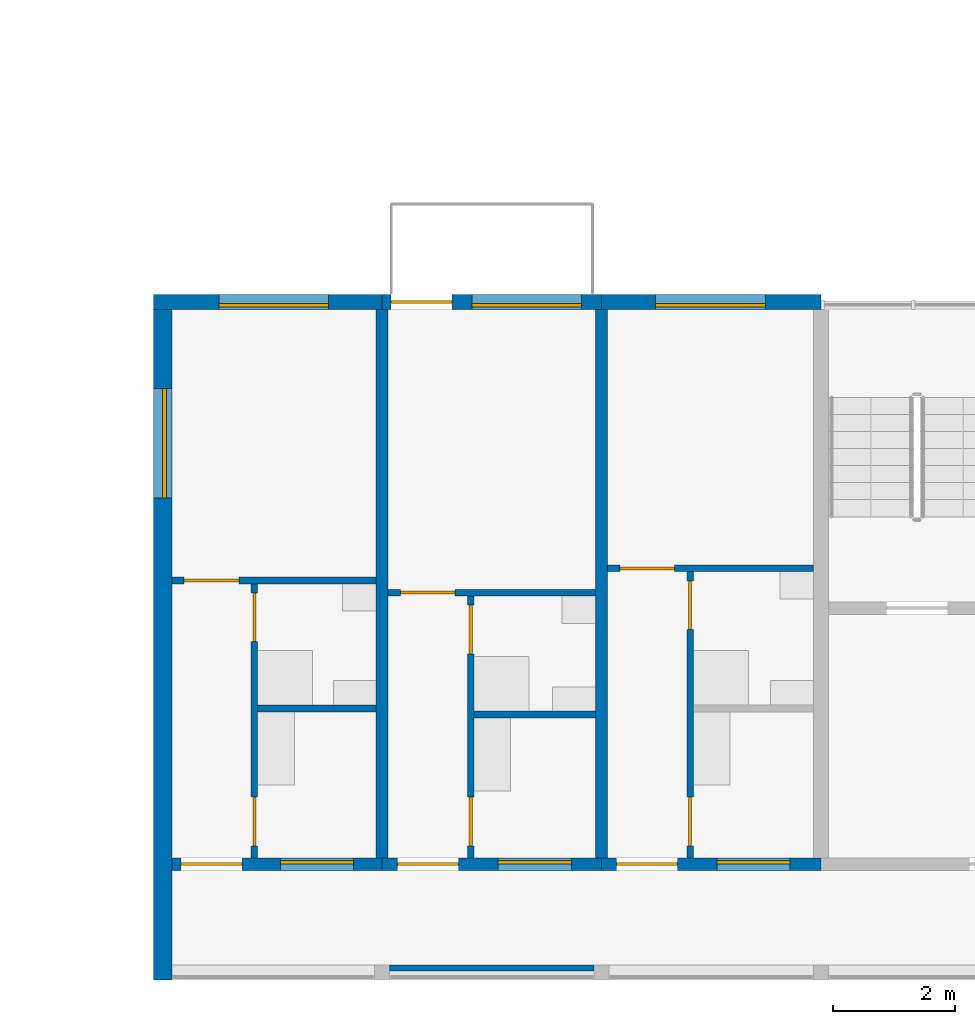
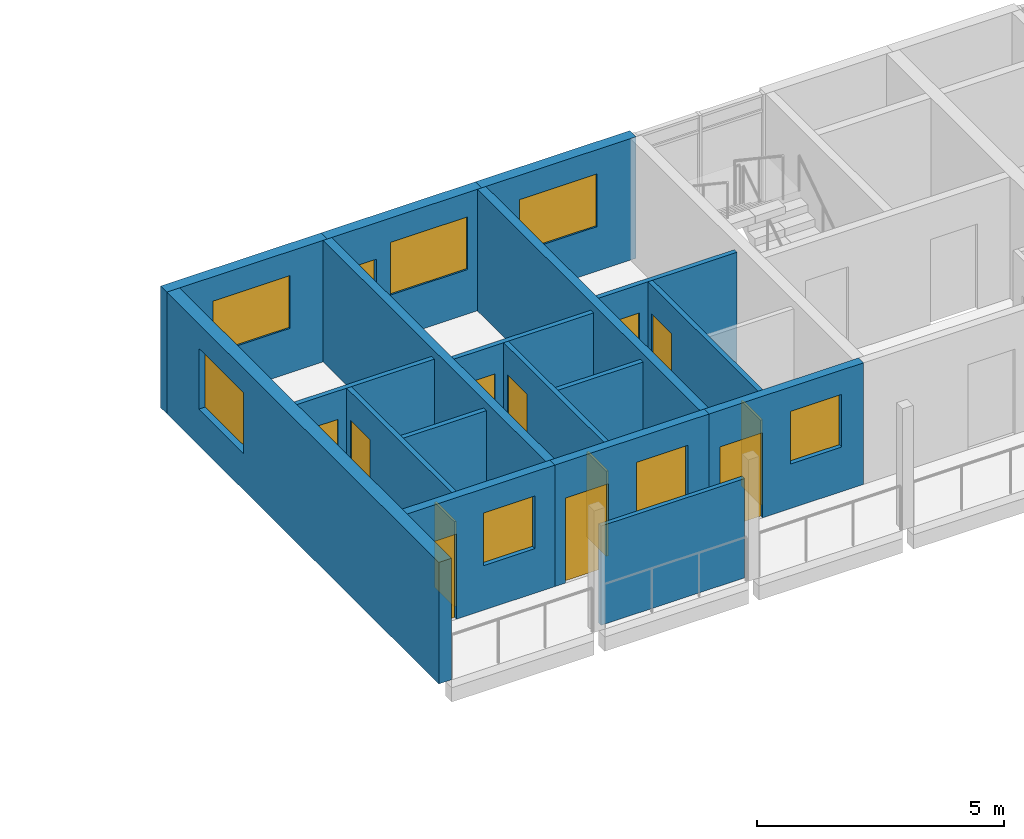
# One storey, part 43 of 94: 18 walls, 13 doors, 7 windows, 20 openings.
"""IFC4 building model written with IfcOpenShell, lengths in metres."""

from ifc_helpers import new_model, si_unit, direction, frame, frame_2d, origin, place, context, subcontext, project, spatial, rectangle, extrude, material, layer, layer_set, type_object, element, fill, save


model = new_model("IFC4")

# Units and contexts
model_context = context("Model", 3, precision=1e-05, world=origin(), true_north=direction((0.0, 1.0)))
body_context = subcontext(model_context, "Body", "Model", "MODEL_VIEW")
ifc_project = project(units=[si_unit("LENGTHUNIT", "METRE"), si_unit("AREAUNIT", "SQUARE_METRE"), si_unit("VOLUMEUNIT", "CUBIC_METRE"), si_unit("PLANEANGLEUNIT", "RADIAN"), si_unit("MASSUNIT", "GRAM", prefix="KILO")], contexts=[model_context])

# Site, building, storey
site_placement = place(None, origin())
site = spatial("IfcSite", under=ifc_project, at=site_placement, CompositionType="ELEMENT")
building_placement = place(site_placement, origin())
building = spatial("IfcBuilding", under=site, at=building_placement, Name="Ridgestep Commons", CompositionType="ELEMENT")
storey_placement = place(building_placement, frame((0.0, 0.0, 21.0)))
storey = spatial("IfcBuildingStorey", under=building, at=storey_placement, Name="L07", CompositionType="ELEMENT", Elevation=21.0)

# Walls
ifc_material_1 = material(Name="Precast concrete C40/50", Category="concrete")
ifc_layer_1 = layer(ifc_material_1, 0.199951171875)
ifc_layer_set_1 = layer_set([ifc_layer_1], Name="Cross wall 200")
wall_type_1 = type_object("IfcWallType", Name="Cross wall 200", PredefinedType="SHEAR", material=ifc_layer_set_1)
for number, where, z_axis, x_axis, name in (
    (1, (150.39990234375, 13.75, 0.0), (0.0, 0.0, 1.0), (0.0, 1.0, 0.0), "Cross wall D-07-1504"),
    (2, (154.0, 13.75, 0.0), (0.0, 0.0, 1.0), (0.0, 1.0, 0.0), "Cross wall D-07-1540"),
):
    element("IfcWall", number, at=place(storey_placement, frame(where, z_axis=z_axis, x_axis=x_axis)), inside=storey, type_object=wall_type_1, Name=name, PredefinedType="SHEAR", context=body_context, shape_type="SweptSolid", body=[
        extrude(rectangle(XDim=9.0, YDim=0.199951171875, at=frame_2d((4.5, 0.0))), origin(), (0.0, 0.0, 1.0), 3.0),
    ])

# Wall, opening, window
ifc_material_2 = material(Name="Precast concrete C40/50", Category="concrete")
ifc_layer_2 = layer(ifc_material_2, 0.300048828125)
ifc_layer_set_2 = layer_set([ifc_layer_2], Name="Exposed division wall 300")
wall_type_2 = type_object("IfcWallType", Name="Exposed division wall 300", PredefinedType="SHEAR", material=ifc_layer_set_2)
wall_1_placement = place(storey_placement, frame((146.800048828125, 11.75, 0.0), z_axis=(0.0, 0.0, 1.0), x_axis=(0.0, 1.0, 0.0)))
wall_1 = element("IfcWall", 3, at=wall_1_placement, inside=storey, type_object=wall_type_2, Name="Cross wall D-07-1468", PredefinedType="SHEAR", context=body_context, shape_type="SweptSolid", body=[
    extrude(rectangle(XDim=11.0, YDim=0.300048828125, at=frame_2d((5.5, 0.0))), origin(), (0.0, 0.0, 1.0), 3.0),
])
opening_1_placement = place(wall_1_placement, frame((7.905029296875, 0.0, 0.89990234375)))
opening_1 = element("IfcOpeningElement", 4, at=opening_1_placement, cuts=wall_1, Name="Opening W20", PredefinedType="OPENING", context=body_context, shape_type="SweptSolid", body=[
    extrude(rectangle(XDim=1.800048828125, YDim=1.5, at=frame_2d((0.89990234375, 0.75))), frame((0.0, 0.159912109375, 0.0), z_axis=(0.0, -1.0, 0.0), x_axis=(1.0, 0.0, 0.0)), (0.0, 0.0, 1.0), 0.320068359375),
])
ifc_material_3 = material(Name="Aluminium 6063-T6 and glass", Category="aluminium")
window_type_1 = type_object("IfcWindowType", Name="Flat window 1800 x 1500", PartitioningType="DOUBLE_PANEL_VERTICAL", PredefinedType="WINDOW", material=ifc_material_3)
window_1_placement = place(opening_1_placement, origin())
window_1 = element("IfcWindow", 5, at=window_1_placement, inside=storey, type_object=window_type_1, Name="Window D1-07a 3", OverallHeight=1.5, OverallWidth=1.800048828125, PartitioningType="SINGLE_PANEL", PredefinedType="WINDOW", context=body_context, shape_type="SweptSolid", body=[
    extrude(rectangle(XDim=1.800048828125, YDim=1.5, at=frame_2d((0.89990234375, 0.75))), frame((0.0, 0.0, 0.0), z_axis=(0.0, -1.0, 0.0), x_axis=(1.0, 0.0, 0.0)), (0.0, 0.0, 1.0), 0.06005859375),
])
fill(opening_1, window_1)

ifc_material_4 = material(Name="Precast concrete C40/50", Category="concrete")
ifc_layer_3 = layer(ifc_material_4, 0.25)
ifc_layer_set_3 = layer_set([ifc_layer_3], Name="North facade panel 250")
wall_type_3 = type_object("IfcWallType", Name="North facade panel 250", PredefinedType="SOLIDWALL", material=ifc_layer_set_3)
wall_2_placement = place(storey_placement, frame((146.64990234375, 22.875, 0.0), z_axis=(0.0, 0.0, 1.0), x_axis=(1.0, 0.0, 0.0)))
wall_2 = element("IfcWall", 6, at=wall_2_placement, inside=storey, type_object=wall_type_3, Name="North panel D1T1 L07", PredefinedType="SOLIDWALL", context=body_context, shape_type="SweptSolid", body=[
    extrude(rectangle(XDim=3.75, YDim=0.25, at=frame_2d((1.875, 0.0))), origin(), (0.0, 0.0, 1.0), 3.0),
])
opening_2_placement = place(wall_2_placement, frame((1.074951171875, 0.0, 1.10009765625)))
opening_2 = element("IfcOpeningElement", 7, at=opening_2_placement, cuts=wall_2, Name="Opening W18", PredefinedType="OPENING", context=body_context, shape_type="SweptSolid", body=[
    extrude(rectangle(XDim=1.800048828125, YDim=1.300048828125, at=frame_2d((0.89990234375, 0.64990234375))), frame((0.0, 0.135009765625, 0.0), z_axis=(0.0, -1.0, 0.0), x_axis=(1.0, 0.0, 0.0)), (0.0, 0.0, 1.0), 0.27001953125),
])
ifc_material_5 = material(Name="Aluminium 6063-T6 and glass", Category="aluminium")
window_type_2 = type_object("IfcWindowType", Name="Flat window 1800 x 1300", PartitioningType="DOUBLE_PANEL_VERTICAL", PredefinedType="WINDOW", material=ifc_material_5)
window_2_placement = place(opening_2_placement, origin())
window_2 = element("IfcWindow", 8, at=window_2_placement, inside=storey, type_object=window_type_2, Name="Window D1-07a 2", OverallHeight=1.300048828125, OverallWidth=1.800048828125, PartitioningType="SINGLE_PANEL", PredefinedType="WINDOW", context=body_context, shape_type="SweptSolid", body=[
    extrude(rectangle(XDim=1.800048828125, YDim=1.300048828125, at=frame_2d((0.89990234375, 0.64990234375))), frame((0.0, -0.02490234375, 0.0), z_axis=(0.0, -1.0, 0.0), x_axis=(1.0, 0.0, 0.0)), (0.0, 0.0, 1.0), 0.06005859375),
])
fill(opening_2, window_2)

# Wall, openings, door, window
wall_3_placement = place(storey_placement, frame((150.39990234375, 22.875, 0.0), z_axis=(0.0, 0.0, 1.0), x_axis=(1.0, 0.0, 0.0)))
wall_3 = element("IfcWall", 9, at=wall_3_placement, inside=storey, type_object=wall_type_3, Name="North panel D1T2 L07", PredefinedType="SOLIDWALL", context=body_context, shape_type="SweptSolid", body=[
    extrude(rectangle(XDim=3.60009765625, YDim=0.25, at=frame_2d((1.800048828125, 0.0))), origin(), (0.0, 0.0, 1.0), 3.0),
])
opening_3_placement = place(wall_3_placement, frame((1.47509765625, 0.0, 1.10009765625)))
opening_3 = element("IfcOpeningElement", 10, at=opening_3_placement, cuts=wall_3, Name="Opening W18", PredefinedType="OPENING", context=body_context, shape_type="SweptSolid", body=[
    extrude(rectangle(XDim=1.800048828125, YDim=1.300048828125, at=frame_2d((0.89990234375, 0.64990234375))), frame((0.0, 0.135009765625, 0.0), z_axis=(0.0, -1.0, 0.0), x_axis=(1.0, 0.0, 0.0)), (0.0, 0.0, 1.0), 0.27001953125),
])
opening_4_placement = place(wall_3_placement, frame((0.14990234375, 0.0, 0.0)))
opening_4 = element("IfcOpeningElement", 11, at=opening_4_placement, cuts=wall_3, Name="Opening D1-07b/5", PredefinedType="OPENING", context=body_context, shape_type="SweptSolid", body=[
    extrude(rectangle(XDim=1.0, YDim=2.10009765625, at=frame_2d((0.5, 1.050048828125))), frame((0.0, 0.135009765625, 0.0), z_axis=(0.0, -1.0, 0.0), x_axis=(1.0, 0.0, 0.0)), (0.0, 0.0, 1.0), 0.27001953125),
])
ifc_material_6 = material(Name="Aluminium and glass", Category="aluminium")
door_type_1 = type_object("IfcDoorType", Name="Balcony door 1000 x 2100", OperationType="NOTDEFINED", PredefinedType="DOOR", material=ifc_material_6)
door_1_placement = place(opening_4_placement, origin())
door_1 = element("IfcDoor", 12, at=door_1_placement, inside=storey, type_object=door_type_1, Name="Balcony door D1-07b/5", OperationType="SINGLE_SWING_RIGHT", OverallHeight=2.10009765625, OverallWidth=1.0, PredefinedType="DOOR", context=body_context, shape_type="SweptSolid", body=[
    extrude(rectangle(XDim=1.0, YDim=2.10009765625, at=frame_2d((0.5, 1.050048828125))), frame((0.0, 0.02490234375, 0.0), z_axis=(0.0, -1.0, 0.0), x_axis=(1.0, 0.0, 0.0)), (0.0, 0.0, 1.0), 0.050048828125),
])
fill(opening_4, door_1)
window_3_placement = place(opening_3_placement, origin())
window_3 = element("IfcWindow", 13, at=window_3_placement, inside=storey, type_object=window_type_2, Name="Window D1-07b 2", OverallHeight=1.300048828125, OverallWidth=1.800048828125, PartitioningType="SINGLE_PANEL", PredefinedType="WINDOW", context=body_context, shape_type="SweptSolid", body=[
    extrude(rectangle(XDim=1.800048828125, YDim=1.300048828125, at=frame_2d((0.89990234375, 0.64990234375))), frame((0.0, -0.02490234375, 0.0), z_axis=(0.0, -1.0, 0.0), x_axis=(1.0, 0.0, 0.0)), (0.0, 0.0, 1.0), 0.06005859375),
])
fill(opening_3, window_3)

# Wall, opening, window
wall_4_placement = place(storey_placement, frame((154.0, 22.875, 0.0), z_axis=(0.0, 0.0, 1.0), x_axis=(1.0, 0.0, 0.0)))
wall_4 = element("IfcWall", 14, at=wall_4_placement, inside=storey, type_object=wall_type_3, Name="North panel D1T3 L07", PredefinedType="SOLIDWALL", context=body_context, shape_type="SweptSolid", body=[
    extrude(rectangle(XDim=3.60009765625, YDim=0.25, at=frame_2d((1.800048828125, 0.0))), origin(), (0.0, 0.0, 1.0), 3.0),
])
opening_5_placement = place(wall_4_placement, frame((0.887451171875, 0.0, 1.10009765625)))
opening_5 = element("IfcOpeningElement", 15, at=opening_5_placement, cuts=wall_4, Name="Opening W18", PredefinedType="OPENING", context=body_context, shape_type="SweptSolid", body=[
    extrude(rectangle(XDim=1.800048828125, YDim=1.300048828125, at=frame_2d((0.89990234375, 0.64990234375))), frame((0.0, 0.135009765625, 0.0), z_axis=(0.0, -1.0, 0.0), x_axis=(1.0, 0.0, 0.0)), (0.0, 0.0, 1.0), 0.27001953125),
])
window_4_placement = place(opening_5_placement, origin())
window_4 = element("IfcWindow", 16, at=window_4_placement, inside=storey, type_object=window_type_2, Name="Window D1-07c 2", OverallHeight=1.300048828125, OverallWidth=1.800048828125, PartitioningType="SINGLE_PANEL", PredefinedType="WINDOW", context=body_context, shape_type="SweptSolid", body=[
    extrude(rectangle(XDim=1.800048828125, YDim=1.300048828125, at=frame_2d((0.89990234375, 0.64990234375))), frame((0.0, -0.02490234375, 0.0), z_axis=(0.0, -1.0, 0.0), x_axis=(1.0, 0.0, 0.0)), (0.0, 0.0, 1.0), 0.06005859375),
])
fill(opening_5, window_4)

# Wall, openings, doors
ifc_material_7 = material(Name="Common brick 110 mm", Category="masonry")
ifc_layer_4 = layer(ifc_material_7, 0.110107421875)
ifc_layer_set_4 = layer_set([ifc_layer_4], Name="Partition 110")
wall_type_4 = type_object("IfcWallType", Name="Partition 110", PredefinedType="PARTITIONING", material=ifc_layer_set_4)
wall_5_placement = place(storey_placement, frame((148.304931640625, 13.75, 0.0), z_axis=(0.0, 0.0, 1.0), x_axis=(0.0, 1.0, 0.0)))
wall_5 = element("IfcWall", 17, at=wall_5_placement, inside=storey, type_object=wall_type_4, Name="Partition D1-07a", PredefinedType="PARTITIONING", context=body_context, shape_type="SweptSolid", body=[
    extrude(rectangle(XDim=4.5, YDim=0.110107421875, at=frame_2d((2.25, 0.0))), origin(), (0.0, 0.0, 1.0), 2.800048828125),
])
opening_6_placement = place(wall_5_placement, frame((0.199951171875, 0.0, 0.0)))
opening_6 = element("IfcOpeningElement", 18, at=opening_6_placement, cuts=wall_5, Name="Opening D1-07a/2", PredefinedType="OPENING", context=body_context, shape_type="SweptSolid", body=[
    extrude(rectangle(XDim=0.800048828125, YDim=2.10009765625, at=frame_2d((0.39990234375, 1.050048828125))), frame((0.0, 0.06494140625, 0.0), z_axis=(0.0, -1.0, 0.0), x_axis=(1.0, 0.0, 0.0)), (0.0, 0.0, 1.0), 0.130126953125),
])
opening_7_placement = place(wall_5_placement, frame((3.550048828125, 0.0, 0.0)))
opening_7 = element("IfcOpeningElement", 19, at=opening_7_placement, cuts=wall_5, Name="Opening D1-07a/3", PredefinedType="OPENING", context=body_context, shape_type="SweptSolid", body=[
    extrude(rectangle(XDim=0.800048828125, YDim=2.10009765625, at=frame_2d((0.39990234375, 1.050048828125))), frame((0.0, 0.06494140625, 0.0), z_axis=(0.0, -1.0, 0.0), x_axis=(1.0, 0.0, 0.0)), (0.0, 0.0, 1.0), 0.130126953125),
])
ifc_material_8 = material(Name="Timber door leaf", Category="wood")
door_type_2 = type_object("IfcDoorType", Name="Internal door 800 x 2100", OperationType="NOTDEFINED", PredefinedType="DOOR", material=ifc_material_8)
door_2_placement = place(opening_6_placement, origin())
door_2 = element("IfcDoor", 20, at=door_2_placement, inside=storey, type_object=door_type_2, Name="Internal door D1-07a/2", OperationType="SINGLE_SWING_RIGHT", OverallHeight=2.10009765625, OverallWidth=0.800048828125, PredefinedType="DOOR", context=body_context, shape_type="SweptSolid", body=[
    extrude(rectangle(XDim=0.800048828125, YDim=2.10009765625, at=frame_2d((0.39990234375, 1.050048828125))), frame((0.0, 0.02490234375, 0.0), z_axis=(0.0, -1.0, 0.0), x_axis=(1.0, 0.0, 0.0)), (0.0, 0.0, 1.0), 0.050048828125),
])
fill(opening_6, door_2)
door_3_placement = place(opening_7_placement, origin())
door_3 = element("IfcDoor", 21, at=door_3_placement, inside=storey, type_object=door_type_2, Name="Internal door D1-07a/3", OperationType="SINGLE_SWING_LEFT", OverallHeight=2.10009765625, OverallWidth=0.800048828125, PredefinedType="DOOR", context=body_context, shape_type="SweptSolid", body=[
    extrude(rectangle(XDim=0.800048828125, YDim=2.10009765625, at=frame_2d((0.39990234375, 1.050048828125))), frame((0.0, 0.02490234375, 0.0), z_axis=(0.0, -1.0, 0.0), x_axis=(1.0, 0.0, 0.0)), (0.0, 0.0, 1.0), 0.050048828125),
])
fill(opening_7, door_3)

# Wall
wall_6_placement = place(storey_placement, frame((148.360107421875, 16.205078125, 0.0), z_axis=(0.0, 0.0, 1.0), x_axis=(1.0, 0.0, 0.0)))
element("IfcWall", 22, at=wall_6_placement, inside=storey, type_object=wall_type_4, Name="Partition D1-07a", PredefinedType="PARTITIONING", context=body_context, shape_type="SweptSolid", body=[
    extrude(rectangle(XDim=1.93994140625, YDim=0.110107421875, at=frame_2d((0.969970703125, 0.0))), origin(), (0.0, 0.0, 1.0), 2.800048828125),
])

# Wall, opening, door
wall_7_placement = place(storey_placement, frame((146.949951171875, 18.304931640625, 0.0), z_axis=(0.0, 0.0, 1.0), x_axis=(1.0, 0.0, 0.0)))
wall_7 = element("IfcWall", 23, at=wall_7_placement, inside=storey, type_object=wall_type_4, Name="Partition D1-07a", PredefinedType="PARTITIONING", context=body_context, shape_type="SweptSolid", body=[
    extrude(rectangle(XDim=3.35009765625, YDim=0.110107421875, at=frame_2d((1.675048828125, 0.0))), origin(), (0.0, 0.0, 1.0), 2.800048828125),
])
opening_8_placement = place(wall_7_placement, frame((0.199951171875, 0.0, 0.0)))
opening_8 = element("IfcOpeningElement", 24, at=opening_8_placement, cuts=wall_7, Name="Opening D1-07a/4", PredefinedType="OPENING", context=body_context, shape_type="SweptSolid", body=[
    extrude(rectangle(XDim=0.89990234375, YDim=2.10009765625, at=frame_2d((0.449951171875, 1.050048828125))), frame((0.0, 0.06494140625, 0.0), z_axis=(0.0, -1.0, 0.0), x_axis=(1.0, 0.0, 0.0)), (0.0, 0.0, 1.0), 0.130126953125),
])
ifc_material_9 = material(Name="Timber door leaf", Category="wood")
door_type_3 = type_object("IfcDoorType", Name="Internal door 900 x 2100", OperationType="NOTDEFINED", PredefinedType="DOOR", material=ifc_material_9)
door_4_placement = place(opening_8_placement, origin())
door_4 = element("IfcDoor", 25, at=door_4_placement, inside=storey, type_object=door_type_3, Name="Internal door D1-07a/4", OperationType="SINGLE_SWING_LEFT", OverallHeight=2.10009765625, OverallWidth=0.89990234375, PredefinedType="DOOR", context=body_context, shape_type="SweptSolid", body=[
    extrude(rectangle(XDim=0.89990234375, YDim=2.10009765625, at=frame_2d((0.449951171875, 1.050048828125))), frame((0.0, 0.02490234375, 0.0), z_axis=(0.0, -1.0, 0.0), x_axis=(1.0, 0.0, 0.0)), (0.0, 0.0, 1.0), 0.050048828125),
])
fill(opening_8, door_4)

# Wall, openings, doors
wall_8_placement = place(storey_placement, frame((151.85498046875, 13.75, 0.0), z_axis=(0.0, 0.0, 1.0), x_axis=(0.0, 1.0, 0.0)))
wall_8 = element("IfcWall", 26, at=wall_8_placement, inside=storey, type_object=wall_type_4, Name="Partition D1-07b", PredefinedType="PARTITIONING", context=body_context, shape_type="SweptSolid", body=[
    extrude(rectangle(XDim=4.300048828125, YDim=0.110107421875, at=frame_2d((2.14990234375, 0.0))), origin(), (0.0, 0.0, 1.0), 2.800048828125),
])
opening_9_placement = place(wall_8_placement, frame((0.199951171875, 0.0, 0.0)))
opening_9 = element("IfcOpeningElement", 27, at=opening_9_placement, cuts=wall_8, Name="Opening D1-07b/2", PredefinedType="OPENING", context=body_context, shape_type="SweptSolid", body=[
    extrude(rectangle(XDim=0.800048828125, YDim=2.10009765625, at=frame_2d((0.39990234375, 1.050048828125))), frame((0.0, 0.06494140625, 0.0), z_axis=(0.0, -1.0, 0.0), x_axis=(1.0, 0.0, 0.0)), (0.0, 0.0, 1.0), 0.130126953125),
])
opening_10_placement = place(wall_8_placement, frame((3.35009765625, 0.0, 0.0)))
opening_10 = element("IfcOpeningElement", 28, at=opening_10_placement, cuts=wall_8, Name="Opening D1-07b/3", PredefinedType="OPENING", context=body_context, shape_type="SweptSolid", body=[
    extrude(rectangle(XDim=0.800048828125, YDim=2.10009765625, at=frame_2d((0.39990234375, 1.050048828125))), frame((0.0, 0.06494140625, 0.0), z_axis=(0.0, -1.0, 0.0), x_axis=(1.0, 0.0, 0.0)), (0.0, 0.0, 1.0), 0.130126953125),
])
door_5_placement = place(opening_9_placement, origin())
door_5 = element("IfcDoor", 29, at=door_5_placement, inside=storey, type_object=door_type_2, Name="Internal door D1-07b/2", OperationType="SINGLE_SWING_RIGHT", OverallHeight=2.10009765625, OverallWidth=0.800048828125, PredefinedType="DOOR", context=body_context, shape_type="SweptSolid", body=[
    extrude(rectangle(XDim=0.800048828125, YDim=2.10009765625, at=frame_2d((0.39990234375, 1.050048828125))), frame((0.0, 0.02490234375, 0.0), z_axis=(0.0, -1.0, 0.0), x_axis=(1.0, 0.0, 0.0)), (0.0, 0.0, 1.0), 0.050048828125),
])
fill(opening_9, door_5)
door_6_placement = place(opening_10_placement, origin())
door_6 = element("IfcDoor", 30, at=door_6_placement, inside=storey, type_object=door_type_2, Name="Internal door D1-07b/3", OperationType="SINGLE_SWING_LEFT", OverallHeight=2.10009765625, OverallWidth=0.800048828125, PredefinedType="DOOR", context=body_context, shape_type="SweptSolid", body=[
    extrude(rectangle(XDim=0.800048828125, YDim=2.10009765625, at=frame_2d((0.39990234375, 1.050048828125))), frame((0.0, 0.02490234375, 0.0), z_axis=(0.0, -1.0, 0.0), x_axis=(1.0, 0.0, 0.0)), (0.0, 0.0, 1.0), 0.050048828125),
])
fill(opening_10, door_6)

# Wall
wall_9_placement = place(storey_placement, frame((151.909912109375, 16.10498046875, 0.0), z_axis=(0.0, 0.0, 1.0), x_axis=(1.0, 0.0, 0.0)))
element("IfcWall", 31, at=wall_9_placement, inside=storey, type_object=wall_type_4, Name="Partition D1-07b", PredefinedType="PARTITIONING", context=body_context, shape_type="SweptSolid", body=[
    extrude(rectangle(XDim=1.989990234375, YDim=0.110107421875, at=frame_2d((0.9951171875, 0.0))), origin(), (0.0, 0.0, 1.0), 2.800048828125),
])

# Wall, opening, door
wall_10_placement = place(storey_placement, frame((150.5, 18.10498046875, 0.0), z_axis=(0.0, 0.0, 1.0), x_axis=(1.0, 0.0, 0.0)))
wall_10 = element("IfcWall", 32, at=wall_10_placement, inside=storey, type_object=wall_type_4, Name="Partition D1-07b", PredefinedType="PARTITIONING", context=body_context, shape_type="SweptSolid", body=[
    extrude(rectangle(XDim=3.39990234375, YDim=0.110107421875, at=frame_2d((1.699951171875, 0.0))), origin(), (0.0, 0.0, 1.0), 2.800048828125),
])
opening_11_placement = place(wall_10_placement, frame((0.199951171875, 0.0, 0.0)))
opening_11 = element("IfcOpeningElement", 33, at=opening_11_placement, cuts=wall_10, Name="Opening D1-07b/4", PredefinedType="OPENING", context=body_context, shape_type="SweptSolid", body=[
    extrude(rectangle(XDim=0.89990234375, YDim=2.10009765625, at=frame_2d((0.449951171875, 1.050048828125))), frame((0.0, 0.06494140625, 0.0), z_axis=(0.0, -1.0, 0.0), x_axis=(1.0, 0.0, 0.0)), (0.0, 0.0, 1.0), 0.130126953125),
])
door_7_placement = place(opening_11_placement, origin())
door_7 = element("IfcDoor", 34, at=door_7_placement, inside=storey, type_object=door_type_3, Name="Internal door D1-07b/4", OperationType="SINGLE_SWING_LEFT", OverallHeight=2.10009765625, OverallWidth=0.89990234375, PredefinedType="DOOR", context=body_context, shape_type="SweptSolid", body=[
    extrude(rectangle(XDim=0.89990234375, YDim=2.10009765625, at=frame_2d((0.449951171875, 1.050048828125))), frame((0.0, 0.02490234375, 0.0), z_axis=(0.0, -1.0, 0.0), x_axis=(1.0, 0.0, 0.0)), (0.0, 0.0, 1.0), 0.050048828125),
])
fill(opening_11, door_7)

# Wall, openings, doors
wall_11_placement = place(storey_placement, frame((155.455078125, 13.75, 0.0), z_axis=(0.0, 0.0, 1.0), x_axis=(0.0, 1.0, 0.0)))
wall_11 = element("IfcWall", 35, at=wall_11_placement, inside=storey, type_object=wall_type_4, Name="Partition D1-07c", PredefinedType="PARTITIONING", context=body_context, shape_type="SweptSolid", body=[
    extrude(rectangle(XDim=4.699951171875, YDim=0.110107421875, at=frame_2d((2.35009765625, 0.0))), origin(), (0.0, 0.0, 1.0), 2.800048828125),
])
opening_12_placement = place(wall_11_placement, frame((0.199951171875, 0.0, 0.0)))
opening_12 = element("IfcOpeningElement", 36, at=opening_12_placement, cuts=wall_11, Name="Opening D1-07c/2", PredefinedType="OPENING", context=body_context, shape_type="SweptSolid", body=[
    extrude(rectangle(XDim=0.800048828125, YDim=2.10009765625, at=frame_2d((0.39990234375, 1.050048828125))), frame((0.0, 0.06494140625, 0.0), z_axis=(0.0, -1.0, 0.0), x_axis=(1.0, 0.0, 0.0)), (0.0, 0.0, 1.0), 0.130126953125),
])
opening_13_placement = place(wall_11_placement, frame((3.75, 0.0, 0.0)))
opening_13 = element("IfcOpeningElement", 37, at=opening_13_placement, cuts=wall_11, Name="Opening D1-07c/3", PredefinedType="OPENING", context=body_context, shape_type="SweptSolid", body=[
    extrude(rectangle(XDim=0.800048828125, YDim=2.10009765625, at=frame_2d((0.39990234375, 1.050048828125))), frame((0.0, 0.06494140625, 0.0), z_axis=(0.0, -1.0, 0.0), x_axis=(1.0, 0.0, 0.0)), (0.0, 0.0, 1.0), 0.130126953125),
])
door_8_placement = place(opening_12_placement, origin())
door_8 = element("IfcDoor", 38, at=door_8_placement, inside=storey, type_object=door_type_2, Name="Internal door D1-07c/2", OperationType="SINGLE_SWING_RIGHT", OverallHeight=2.10009765625, OverallWidth=0.800048828125, PredefinedType="DOOR", context=body_context, shape_type="SweptSolid", body=[
    extrude(rectangle(XDim=0.800048828125, YDim=2.10009765625, at=frame_2d((0.39990234375, 1.050048828125))), frame((0.0, 0.02490234375, 0.0), z_axis=(0.0, -1.0, 0.0), x_axis=(1.0, 0.0, 0.0)), (0.0, 0.0, 1.0), 0.050048828125),
])
fill(opening_12, door_8)
door_9_placement = place(opening_13_placement, origin())
door_9 = element("IfcDoor", 39, at=door_9_placement, inside=storey, type_object=door_type_2, Name="Internal door D1-07c/3", OperationType="SINGLE_SWING_LEFT", OverallHeight=2.10009765625, OverallWidth=0.800048828125, PredefinedType="DOOR", context=body_context, shape_type="SweptSolid", body=[
    extrude(rectangle(XDim=0.800048828125, YDim=2.10009765625, at=frame_2d((0.39990234375, 1.050048828125))), frame((0.0, 0.02490234375, 0.0), z_axis=(0.0, -1.0, 0.0), x_axis=(1.0, 0.0, 0.0)), (0.0, 0.0, 1.0), 0.050048828125),
])
fill(opening_13, door_9)

# Wall, opening, door
wall_12_placement = place(storey_placement, frame((154.10009765625, 18.5048828125, 0.0), z_axis=(0.0, 0.0, 1.0), x_axis=(1.0, 0.0, 0.0)))
wall_12 = element("IfcWall", 40, at=wall_12_placement, inside=storey, type_object=wall_type_4, Name="Partition D1-07c", PredefinedType="PARTITIONING", context=body_context, shape_type="SweptSolid", body=[
    extrude(rectangle(XDim=3.375, YDim=0.110107421875, at=frame_2d((1.6875, 0.0))), origin(), (0.0, 0.0, 1.0), 2.800048828125),
])
opening_14_placement = place(wall_12_placement, frame((0.199951171875, 0.0, 0.0)))
opening_14 = element("IfcOpeningElement", 41, at=opening_14_placement, cuts=wall_12, Name="Opening D1-07c/4", PredefinedType="OPENING", context=body_context, shape_type="SweptSolid", body=[
    extrude(rectangle(XDim=0.89990234375, YDim=2.10009765625, at=frame_2d((0.449951171875, 1.050048828125))), frame((0.0, 0.06494140625, 0.0), z_axis=(0.0, -1.0, 0.0), x_axis=(1.0, 0.0, 0.0)), (0.0, 0.0, 1.0), 0.130126953125),
])
door_10_placement = place(opening_14_placement, origin())
door_10 = element("IfcDoor", 42, at=door_10_placement, inside=storey, type_object=door_type_3, Name="Internal door D1-07c/4", OperationType="SINGLE_SWING_LEFT", OverallHeight=2.10009765625, OverallWidth=0.89990234375, PredefinedType="DOOR", context=body_context, shape_type="SweptSolid", body=[
    extrude(rectangle(XDim=0.89990234375, YDim=2.10009765625, at=frame_2d((0.449951171875, 1.050048828125))), frame((0.0, 0.02490234375, 0.0), z_axis=(0.0, -1.0, 0.0), x_axis=(1.0, 0.0, 0.0)), (0.0, 0.0, 1.0), 0.050048828125),
])
fill(opening_14, door_10)

# Wall
ifc_material_10 = material(Name="Precast concrete C30/37", Category="concrete")
ifc_layer_5 = layer(ifc_material_10, 0.10009765625)
ifc_layer_set_5 = layer_set([ifc_layer_5], Name="Perforated gallery screen 3350 x 2450 x 100")
wall_type_5 = type_object("IfcWallType", Name="Perforated gallery screen 3350 x 2450 x 100", PredefinedType="SOLIDWALL", material=ifc_layer_set_5)
wall_13_placement = place(storey_placement, frame((150.52490234375, 11.949951171875, 0.0), z_axis=(0.0, 0.0, 1.0), x_axis=(1.0, 0.0, 0.0)))
element("IfcWall", 43, at=wall_13_placement, inside=storey, type_object=wall_type_5, Name="Gallery screen D1T2 07", PredefinedType="SOLIDWALL", context=body_context, shape_type="SweptSolid", body=[
    extrude(rectangle(XDim=3.35009765625, YDim=0.10009765625, at=frame_2d((1.675048828125, 0.0))), origin(), (0.0, 0.0, 1.0), 2.449951171875),
])

# Wall, openings, door, window
ifc_material_11 = material(Name="Precast concrete C40/50", Category="concrete")
ifc_layer_6 = layer(ifc_material_11, 0.199951171875)
ifc_layer_set_6 = layer_set([ifc_layer_6], Name="South facade panel 200")
wall_type_6 = type_object("IfcWallType", Name="South facade panel 200", PredefinedType="SOLIDWALL", material=ifc_layer_set_6)
wall_14_placement = place(storey_placement, frame((146.949951171875, 13.64990234375, 0.0), z_axis=(0.0, 0.0, 1.0), x_axis=(1.0, 0.0, 0.0)))
wall_14 = element("IfcWall", 44, at=wall_14_placement, inside=storey, type_object=wall_type_6, Name="South panel D1T1 L07", PredefinedType="SOLIDWALL", context=body_context, shape_type="SweptSolid", body=[
    extrude(rectangle(XDim=3.449951171875, YDim=0.199951171875, at=frame_2d((1.72509765625, 0.0))), origin(), (0.0, 0.0, 1.0), 3.0),
])
opening_15_placement = place(wall_14_placement, frame((1.780029296875, 0.0, 1.10009765625)))
opening_15 = element("IfcOpeningElement", 45, at=opening_15_placement, cuts=wall_14, Name="Opening W08", PredefinedType="OPENING", context=body_context, shape_type="SweptSolid", body=[
    extrude(rectangle(XDim=1.199951171875, YDim=1.300048828125, at=frame_2d((0.60009765625, 0.64990234375))), frame((0.0, 0.10986328125, 0.0), z_axis=(0.0, -1.0, 0.0), x_axis=(1.0, 0.0, 0.0)), (0.0, 0.0, 1.0), 0.219970703125),
])
opening_16_placement = place(wall_14_placement, frame((0.14990234375, 0.0, 0.0)))
opening_16 = element("IfcOpeningElement", 46, at=opening_16_placement, cuts=wall_14, Name="Opening D1-07a/1", PredefinedType="OPENING", context=body_context, shape_type="SweptSolid", body=[
    extrude(rectangle(XDim=1.0, YDim=2.10009765625, at=frame_2d((0.5, 1.050048828125))), frame((0.0, 0.10986328125, 0.0), z_axis=(0.0, -1.0, 0.0), x_axis=(1.0, 0.0, 0.0)), (0.0, 0.0, 1.0), 0.219970703125),
])
ifc_material_12 = material(Name="Timber door leaf", Category="wood")
door_type_4 = type_object("IfcDoorType", Name="Flat entrance door 1000 x 2100 FD30S", OperationType="NOTDEFINED", PredefinedType="DOOR", material=ifc_material_12)
door_11_placement = place(opening_16_placement, origin())
door_11 = element("IfcDoor", 47, at=door_11_placement, inside=storey, type_object=door_type_4, Name="Flat entrance door D1-07a/1", OperationType="SINGLE_SWING_LEFT", OverallHeight=2.10009765625, OverallWidth=1.0, PredefinedType="DOOR", context=body_context, shape_type="SweptSolid", body=[
    extrude(rectangle(XDim=1.0, YDim=2.10009765625, at=frame_2d((0.5, 1.050048828125))), frame((0.0, 0.02490234375, 0.0), z_axis=(0.0, -1.0, 0.0), x_axis=(1.0, 0.0, 0.0)), (0.0, 0.0, 1.0), 0.050048828125),
])
fill(opening_16, door_11)
ifc_material_13 = material(Name="Aluminium 6063-T6 and glass", Category="aluminium")
window_type_3 = type_object("IfcWindowType", Name="Flat window 1200 x 1300", PartitioningType="SINGLE_PANEL", PredefinedType="WINDOW", material=ifc_material_13)
window_5_placement = place(opening_15_placement, origin())
window_5 = element("IfcWindow", 48, at=window_5_placement, inside=storey, type_object=window_type_3, Name="Window D1-07a 1", OverallHeight=1.300048828125, OverallWidth=1.199951171875, PartitioningType="SINGLE_PANEL", PredefinedType="WINDOW", context=body_context, shape_type="SweptSolid", body=[
    extrude(rectangle(XDim=1.199951171875, YDim=1.300048828125, at=frame_2d((0.60009765625, 0.64990234375))), frame((0.0, 0.06005859375, 0.0), z_axis=(0.0, -1.0, 0.0), x_axis=(1.0, 0.0, 0.0)), (0.0, 0.0, 1.0), 0.06005859375),
])
fill(opening_15, window_5)

wall_15_placement = place(storey_placement, frame((150.39990234375, 13.64990234375, 0.0), z_axis=(0.0, 0.0, 1.0), x_axis=(1.0, 0.0, 0.0)))
wall_15 = element("IfcWall", 49, at=wall_15_placement, inside=storey, type_object=wall_type_6, Name="South panel D1T2 L07", PredefinedType="SOLIDWALL", context=body_context, shape_type="SweptSolid", body=[
    extrude(rectangle(XDim=3.60009765625, YDim=0.199951171875, at=frame_2d((1.800048828125, 0.0))), origin(), (0.0, 0.0, 1.0), 3.0),
])
opening_17_placement = place(wall_15_placement, frame((1.905029296875, 0.0, 1.10009765625)))
opening_17 = element("IfcOpeningElement", 50, at=opening_17_placement, cuts=wall_15, Name="Opening W08", PredefinedType="OPENING", context=body_context, shape_type="SweptSolid", body=[
    extrude(rectangle(XDim=1.199951171875, YDim=1.300048828125, at=frame_2d((0.60009765625, 0.64990234375))), frame((0.0, 0.10986328125, 0.0), z_axis=(0.0, -1.0, 0.0), x_axis=(1.0, 0.0, 0.0)), (0.0, 0.0, 1.0), 0.219970703125),
])
opening_18_placement = place(wall_15_placement, frame((0.25, 0.0, 0.0)))
opening_18 = element("IfcOpeningElement", 51, at=opening_18_placement, cuts=wall_15, Name="Opening D1-07b/1", PredefinedType="OPENING", context=body_context, shape_type="SweptSolid", body=[
    extrude(rectangle(XDim=1.0, YDim=2.10009765625, at=frame_2d((0.5, 1.050048828125))), frame((0.0, 0.10986328125, 0.0), z_axis=(0.0, -1.0, 0.0), x_axis=(1.0, 0.0, 0.0)), (0.0, 0.0, 1.0), 0.219970703125),
])
door_12_placement = place(opening_18_placement, origin())
door_12 = element("IfcDoor", 52, at=door_12_placement, inside=storey, type_object=door_type_4, Name="Flat entrance door D1-07b/1", OperationType="SINGLE_SWING_LEFT", OverallHeight=2.10009765625, OverallWidth=1.0, PredefinedType="DOOR", context=body_context, shape_type="SweptSolid", body=[
    extrude(rectangle(XDim=1.0, YDim=2.10009765625, at=frame_2d((0.5, 1.050048828125))), frame((0.0, 0.02490234375, 0.0), z_axis=(0.0, -1.0, 0.0), x_axis=(1.0, 0.0, 0.0)), (0.0, 0.0, 1.0), 0.050048828125),
])
fill(opening_18, door_12)
window_6_placement = place(opening_17_placement, origin())
window_6 = element("IfcWindow", 53, at=window_6_placement, inside=storey, type_object=window_type_3, Name="Window D1-07b 1", OverallHeight=1.300048828125, OverallWidth=1.199951171875, PartitioningType="SINGLE_PANEL", PredefinedType="WINDOW", context=body_context, shape_type="SweptSolid", body=[
    extrude(rectangle(XDim=1.199951171875, YDim=1.300048828125, at=frame_2d((0.60009765625, 0.64990234375))), frame((0.0, 0.06005859375, 0.0), z_axis=(0.0, -1.0, 0.0), x_axis=(1.0, 0.0, 0.0)), (0.0, 0.0, 1.0), 0.06005859375),
])
fill(opening_17, window_6)

wall_16_placement = place(storey_placement, frame((154.0, 13.64990234375, 0.0), z_axis=(0.0, 0.0, 1.0), x_axis=(1.0, 0.0, 0.0)))
wall_16 = element("IfcWall", 54, at=wall_16_placement, inside=storey, type_object=wall_type_6, Name="South panel D1T3 L07", PredefinedType="SOLIDWALL", context=body_context, shape_type="SweptSolid", body=[
    extrude(rectangle(XDim=3.60009765625, YDim=0.199951171875, at=frame_2d((1.800048828125, 0.0))), origin(), (0.0, 0.0, 1.0), 3.0),
])
opening_19_placement = place(wall_16_placement, frame((1.892578125, 0.0, 1.10009765625)))
opening_19 = element("IfcOpeningElement", 55, at=opening_19_placement, cuts=wall_16, Name="Opening W08", PredefinedType="OPENING", context=body_context, shape_type="SweptSolid", body=[
    extrude(rectangle(XDim=1.199951171875, YDim=1.300048828125, at=frame_2d((0.60009765625, 0.64990234375))), frame((0.0, 0.10986328125, 0.0), z_axis=(0.0, -1.0, 0.0), x_axis=(1.0, 0.0, 0.0)), (0.0, 0.0, 1.0), 0.219970703125),
])
opening_20_placement = place(wall_16_placement, frame((0.25, 0.0, 0.0)))
opening_20 = element("IfcOpeningElement", 56, at=opening_20_placement, cuts=wall_16, Name="Opening D1-07c/1", PredefinedType="OPENING", context=body_context, shape_type="SweptSolid", body=[
    extrude(rectangle(XDim=1.0, YDim=2.10009765625, at=frame_2d((0.5, 1.050048828125))), frame((0.0, 0.10986328125, 0.0), z_axis=(0.0, -1.0, 0.0), x_axis=(1.0, 0.0, 0.0)), (0.0, 0.0, 1.0), 0.219970703125),
])
door_13_placement = place(opening_20_placement, origin())
door_13 = element("IfcDoor", 57, at=door_13_placement, inside=storey, type_object=door_type_4, Name="Flat entrance door D1-07c/1", OperationType="SINGLE_SWING_LEFT", OverallHeight=2.10009765625, OverallWidth=1.0, PredefinedType="DOOR", context=body_context, shape_type="SweptSolid", body=[
    extrude(rectangle(XDim=1.0, YDim=2.10009765625, at=frame_2d((0.5, 1.050048828125))), frame((0.0, 0.02490234375, 0.0), z_axis=(0.0, -1.0, 0.0), x_axis=(1.0, 0.0, 0.0)), (0.0, 0.0, 1.0), 0.050048828125),
])
fill(opening_20, door_13)
window_7_placement = place(opening_19_placement, origin())
window_7 = element("IfcWindow", 58, at=window_7_placement, inside=storey, type_object=window_type_3, Name="Window D1-07c 1", OverallHeight=1.300048828125, OverallWidth=1.199951171875, PartitioningType="SINGLE_PANEL", PredefinedType="WINDOW", context=body_context, shape_type="SweptSolid", body=[
    extrude(rectangle(XDim=1.199951171875, YDim=1.300048828125, at=frame_2d((0.60009765625, 0.64990234375))), frame((0.0, 0.06005859375, 0.0), z_axis=(0.0, -1.0, 0.0), x_axis=(1.0, 0.0, 0.0)), (0.0, 0.0, 1.0), 0.06005859375),
])
fill(opening_19, window_7)

save(model, "model.ifc")
